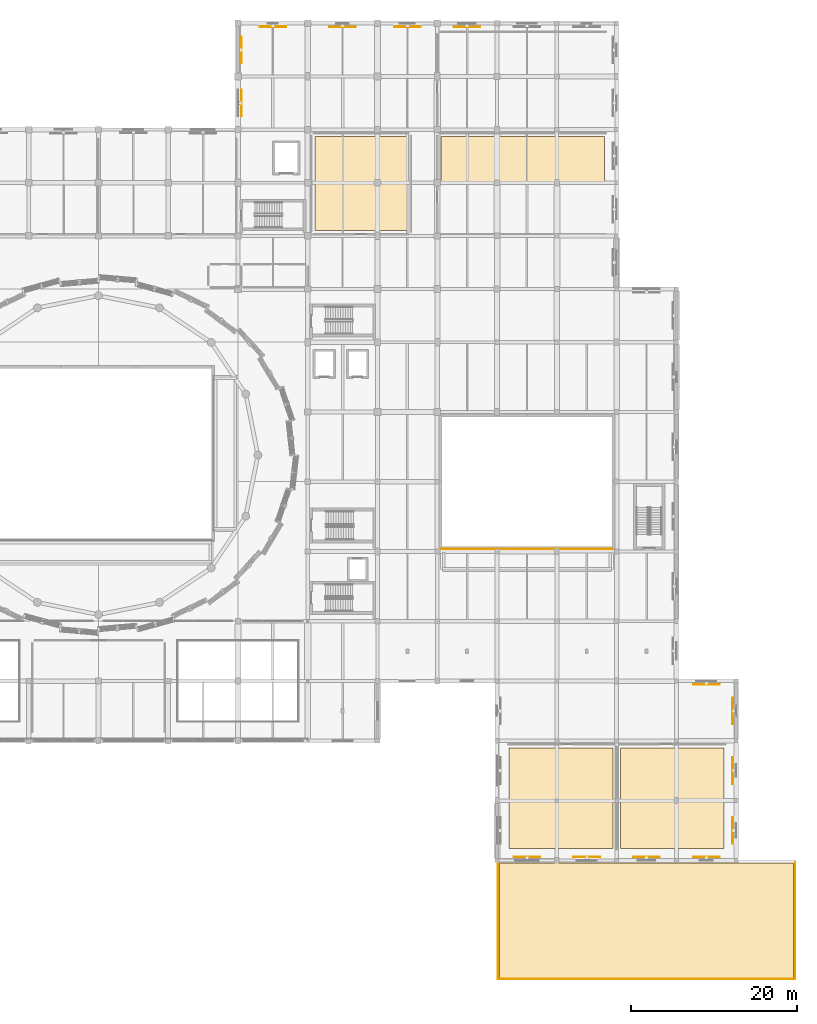
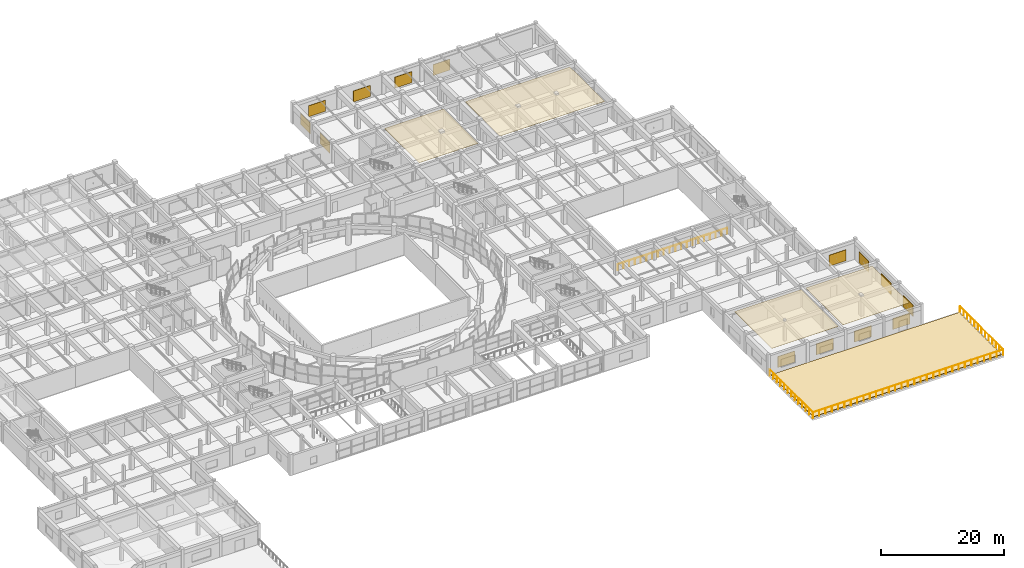
# One storey, part 69 of 71: 14 shading devices, 5 coverings, 2 railings.
"""IFC4 building model written with IfcOpenShell, lengths in metres."""

from ifc_helpers import new_model, si_unit, direction, frame, origin, origin_2d, place, context, subcontext, project, spatial, polyline, rectangle, circle, outline, extrude, material, layer, layer_set, type_object, element, save


model = new_model("IFC4")

# Units and contexts
model_context = context("Model", 3, precision=1e-05, world=origin(), true_north=direction((0.0, 1.0)))
body_context = subcontext(model_context, "Body", "Model", "MODEL_VIEW")
ifc_project = project(units=[si_unit("LENGTHUNIT", "METRE"), si_unit("AREAUNIT", "SQUARE_METRE"), si_unit("VOLUMEUNIT", "CUBIC_METRE"), si_unit("PLANEANGLEUNIT", "RADIAN"), si_unit("MASSUNIT", "GRAM", prefix="KILO")], contexts=[model_context])

# Site, building, storey
site_placement = place(None, origin())
site = spatial("IfcSite", under=ifc_project, at=site_placement, CompositionType="ELEMENT")
building_placement = place(site_placement, origin())
building = spatial("IfcBuilding", under=site, at=building_placement, Name="Korsvaeld Concert Hall", CompositionType="ELEMENT")
storey_placement = place(building_placement, frame((0.0, 0.0, 4.800048828125)))
storey = spatial("IfcBuildingStorey", under=building, at=storey_placement, Name="L01", CompositionType="ELEMENT", Elevation=4.800048828125)

# Coverings
ifc_material_1 = material(Name="Suspended sculpted European oak acoustic ceiling")
ifc_layer_1 = layer(ifc_material_1, 0.044921875)
ifc_layer_set_1 = layer_set([ifc_layer_1], Name="Suspended sculpted European oak acoustic ceiling")
covering_type_1 = type_object("IfcCoveringType", Name="COV-CEIL-OAK", PredefinedType="CEILING", material=ifc_layer_set_1)
covering_1_placement = place(storey_placement, frame((0.0, 0.0, 3.8349609375)))
element("IfcCovering", 1, at=covering_1_placement, inside=storey, type_object=covering_type_1, Name="Acoustic oak reflector ceiling L01-08", PredefinedType="CEILING", context=body_context, shape_type="SweptSolid", body=[
    extrude(outline(polyline([(133.449951171875, 15.85009765625), (133.449951171875, 27.949951171875), (145.949951171875, 27.949951171875), (145.949951171875, 15.85009765625), (133.449951171875, 15.85009765625)])), origin(), (0.0, 0.0, 1.0), 0.044921875),
])
covering_2_placement = place(storey_placement, frame((0.0, 0.0, 3.8349609375)))
element("IfcCovering", 2, at=covering_2_placement, inside=storey, type_object=covering_type_1, Name="Acoustic oak reflector ceiling L01-09", PredefinedType="CEILING", context=body_context, shape_type="SweptSolid", body=[
    extrude(outline(polyline([(159.35009765625, 27.949951171875), (159.35009765625, 15.85009765625), (146.85009765625, 15.85009765625), (146.85009765625, 27.949951171875), (159.35009765625, 27.949951171875)])), origin(), (0.0, 0.0, 1.0), 0.044921875),
])
covering_3_placement = place(storey_placement, frame((0.0, 0.0, 3.8349609375)))
element("IfcCovering", 3, at=covering_3_placement, inside=storey, type_object=covering_type_1, Name="Acoustic oak reflector ceiling L01-22", PredefinedType="CEILING", context=body_context, shape_type="SweptSolid", body=[
    extrude(outline(polyline([(121.14990234375, 90.25), (110.050048828125, 90.25), (110.050048828125, 101.550048828125), (121.14990234375, 101.550048828125), (121.14990234375, 90.25)])), origin(), (0.0, 0.0, 1.0), 0.044921875),
])
covering_4_placement = place(storey_placement, frame((0.0, 0.0, 3.8349609375)))
element("IfcCovering", 4, at=covering_4_placement, inside=storey, type_object=covering_type_1, Name="Acoustic oak reflector ceiling L01-23", PredefinedType="CEILING", context=body_context, shape_type="SweptSolid", body=[
    extrude(outline(polyline([(144.949951171875, 101.550048828125), (144.949951171875, 90.25), (125.25, 90.25), (125.25, 101.550048828125), (144.949951171875, 101.550048828125)])), origin(), (0.0, 0.0, 1.0), 0.044921875),
])
ifc_material_2 = material(Name="Mughal-garden sedum planted green roof substrate")
ifc_layer_2 = layer(ifc_material_2, 0.1201171875)
ifc_layer_set_2 = layer_set([ifc_layer_2], Name="Mughal-garden sedum planted green roof substrate")
covering_type_2 = type_object("IfcCoveringType", Name="COV-ROOF-GREEN", PredefinedType="ROOFING", material=ifc_layer_set_2)
covering_5_placement = place(storey_placement, origin())
element("IfcCovering", 5, at=covering_5_placement, inside=storey, type_object=covering_type_2, Name="Mughal-garden green roof planting TER_L01_SE", PredefinedType="ROOFING", context=body_context, shape_type="SweptSolid", body=[
    extrude(outline(polyline([(167.699951171875, 0.300048828125), (167.699951171875, 14.10009765625), (132.300048828125, 14.10009765625), (132.300048828125, 0.300048828125), (167.699951171875, 0.300048828125)])), origin(), (0.0, 0.0, 1.0), 0.119873046875),
])

# Railings
ifc_material_3 = material(Name="Anodised architectural bronze guardrail")
railing_type_1 = type_object("IfcRailingType", Name="RL-TERR-GUARD-120", PredefinedType="GUARDRAIL", material=ifc_material_3)
railing_1_placement = place(storey_placement, frame((132.10009765625, 14.139892578125, 0.0)))
element("IfcRailing", 6, at=railing_1_placement, inside=storey, type_object=railing_type_1, Name="Planted terrace bronze guardrail TER_L01_SE", PredefinedType="GUARDRAIL", context=body_context, shape_type="SweptSolid", body=[
    extrude(circle(Radius=0.02392578125, at=origin_2d()), frame((0.0, 0.0, 1.17578125), z_axis=(0.0, -1.0, 0.0), x_axis=(1.0, 0.0, 0.0)), (0.0, 0.0, 1.0), 14.039794921875),
    extrude(circle(Radius=0.02392578125, at=origin_2d()), frame((0.0, -14.039794921875, 1.17578125), z_axis=(1.0, 0.0, 0.0), x_axis=(0.0, 1.0, 0.0)), (0.0, 0.0, 1.0), 35.7998046875),
    extrude(circle(Radius=0.02392578125, at=origin_2d()), frame((35.7998046875, -14.039794921875, 1.17578125), z_axis=(0.0, 1.0, 0.0), x_axis=(-1.0, 0.0, 0.0)), (0.0, 0.0, 1.0), 14.039794921875),
    extrude(circle(Radius=0.02099609375, at=origin_2d()), origin(), (0.0, 0.0, 1.0), 1.15185546875),
    extrude(circle(Radius=0.02099609375, at=origin_2d()), frame((0.0, -1.169921875, 0.0)), (0.0, 0.0, 1.0), 1.15185546875),
    extrude(circle(Radius=0.02099609375, at=origin_2d()), frame((0.0, -2.33984375, 0.0)), (0.0, 0.0, 1.0), 1.15185546875),
    extrude(circle(Radius=0.02099609375, at=origin_2d()), frame((0.0, -3.510009765625, 0.0)), (0.0, 0.0, 1.0), 1.15185546875),
    extrude(circle(Radius=0.02099609375, at=origin_2d()), frame((0.0, -4.679931640625, 0.0)), (0.0, 0.0, 1.0), 1.15185546875),
    extrude(circle(Radius=0.02099609375, at=origin_2d()), frame((0.0, -5.849853515625, 0.0)), (0.0, 0.0, 1.0), 1.15185546875),
    extrude(circle(Radius=0.02099609375, at=origin_2d()), frame((0.0, -7.02001953125, 0.0)), (0.0, 0.0, 1.0), 1.15185546875),
    extrude(circle(Radius=0.02099609375, at=origin_2d()), frame((0.0, -8.18994140625, 0.0)), (0.0, 0.0, 1.0), 1.15185546875),
    extrude(circle(Radius=0.02099609375, at=origin_2d()), frame((0.0, -9.35986328125, 0.0)), (0.0, 0.0, 1.0), 1.15185546875),
    extrude(circle(Radius=0.02099609375, at=origin_2d()), frame((0.0, -10.52978515625, 0.0)), (0.0, 0.0, 1.0), 1.15185546875),
    extrude(circle(Radius=0.02099609375, at=origin_2d()), frame((0.0, -11.69970703125, 0.0)), (0.0, 0.0, 1.0), 1.15185546875),
    extrude(circle(Radius=0.02099609375, at=origin_2d()), frame((0.0, -12.869873046875, 0.0)), (0.0, 0.0, 1.0), 1.15185546875),
    extrude(circle(Radius=0.02099609375, at=origin_2d()), frame((0.0, -14.039794921875, 0.0)), (0.0, 0.0, 1.0), 1.15185546875),
    extrude(circle(Radius=0.02099609375, at=origin_2d()), frame((1.193359375, -14.039794921875, 0.0)), (0.0, 0.0, 1.0), 1.15185546875),
    extrude(circle(Radius=0.02099609375, at=origin_2d()), frame((2.38671875, -14.039794921875, 0.0)), (0.0, 0.0, 1.0), 1.15185546875),
    extrude(circle(Radius=0.02099609375, at=origin_2d()), frame((3.580078125, -14.039794921875, 0.0)), (0.0, 0.0, 1.0), 1.15185546875),
    extrude(circle(Radius=0.02099609375, at=origin_2d()), frame((4.773193359375, -14.039794921875, 0.0)), (0.0, 0.0, 1.0), 1.15185546875),
    extrude(circle(Radius=0.02099609375, at=origin_2d()), frame((5.966552734375, -14.039794921875, 0.0)), (0.0, 0.0, 1.0), 1.15185546875),
    extrude(circle(Radius=0.02099609375, at=origin_2d()), frame((7.159912109375, -14.039794921875, 0.0)), (0.0, 0.0, 1.0), 1.15185546875),
    extrude(circle(Radius=0.02099609375, at=origin_2d()), frame((8.353271484375, -14.039794921875, 0.0)), (0.0, 0.0, 1.0), 1.15185546875),
    extrude(circle(Radius=0.02099609375, at=origin_2d()), frame((9.546630859375, -14.039794921875, 0.0)), (0.0, 0.0, 1.0), 1.15185546875),
    extrude(circle(Radius=0.02099609375, at=origin_2d()), frame((10.739990234375, -14.039794921875, 0.0)), (0.0, 0.0, 1.0), 1.15185546875),
    extrude(circle(Radius=0.02099609375, at=origin_2d()), frame((11.933349609375, -14.039794921875, 0.0)), (0.0, 0.0, 1.0), 1.15185546875),
    extrude(circle(Radius=0.02099609375, at=origin_2d()), frame((13.126708984375, -14.039794921875, 0.0)), (0.0, 0.0, 1.0), 1.15185546875),
    extrude(circle(Radius=0.02099609375, at=origin_2d()), frame((14.31982421875, -14.039794921875, 0.0)), (0.0, 0.0, 1.0), 1.15185546875),
    extrude(circle(Radius=0.02099609375, at=origin_2d()), frame((15.51318359375, -14.039794921875, 0.0)), (0.0, 0.0, 1.0), 1.15185546875),
    extrude(circle(Radius=0.02099609375, at=origin_2d()), frame((16.70654296875, -14.039794921875, 0.0)), (0.0, 0.0, 1.0), 1.15185546875),
    extrude(circle(Radius=0.02099609375, at=origin_2d()), frame((17.89990234375, -14.039794921875, 0.0)), (0.0, 0.0, 1.0), 1.15185546875),
    extrude(circle(Radius=0.02099609375, at=origin_2d()), frame((19.09326171875, -14.039794921875, 0.0)), (0.0, 0.0, 1.0), 1.15185546875),
    extrude(circle(Radius=0.02099609375, at=origin_2d()), frame((20.28662109375, -14.039794921875, 0.0)), (0.0, 0.0, 1.0), 1.15185546875),
    extrude(circle(Radius=0.02099609375, at=origin_2d()), frame((21.47998046875, -14.039794921875, 0.0)), (0.0, 0.0, 1.0), 1.15185546875),
    extrude(circle(Radius=0.02099609375, at=origin_2d()), frame((22.673095703125, -14.039794921875, 0.0)), (0.0, 0.0, 1.0), 1.15185546875),
    extrude(circle(Radius=0.02099609375, at=origin_2d()), frame((23.866455078125, -14.039794921875, 0.0)), (0.0, 0.0, 1.0), 1.15185546875),
    extrude(circle(Radius=0.02099609375, at=origin_2d()), frame((25.059814453125, -14.039794921875, 0.0)), (0.0, 0.0, 1.0), 1.15185546875),
    extrude(circle(Radius=0.02099609375, at=origin_2d()), frame((26.253173828125, -14.039794921875, 0.0)), (0.0, 0.0, 1.0), 1.15185546875),
    extrude(circle(Radius=0.02099609375, at=origin_2d()), frame((27.446533203125, -14.039794921875, 0.0)), (0.0, 0.0, 1.0), 1.15185546875),
    extrude(circle(Radius=0.02099609375, at=origin_2d()), frame((28.639892578125, -14.039794921875, 0.0)), (0.0, 0.0, 1.0), 1.15185546875),
    extrude(circle(Radius=0.02099609375, at=origin_2d()), frame((29.833251953125, -14.039794921875, 0.0)), (0.0, 0.0, 1.0), 1.15185546875),
    extrude(circle(Radius=0.02099609375, at=origin_2d()), frame((31.026611328125, -14.039794921875, 0.0)), (0.0, 0.0, 1.0), 1.15185546875),
    extrude(circle(Radius=0.02099609375, at=origin_2d()), frame((32.2197265625, -14.039794921875, 0.0)), (0.0, 0.0, 1.0), 1.15185546875),
    extrude(circle(Radius=0.02099609375, at=origin_2d()), frame((33.4130859375, -14.039794921875, 0.0)), (0.0, 0.0, 1.0), 1.15185546875),
    extrude(circle(Radius=0.02099609375, at=origin_2d()), frame((34.6064453125, -14.039794921875, 0.0)), (0.0, 0.0, 1.0), 1.15185546875),
    extrude(circle(Radius=0.02099609375, at=origin_2d()), frame((35.7998046875, -14.039794921875, 0.0)), (0.0, 0.0, 1.0), 1.15185546875),
    extrude(circle(Radius=0.02099609375, at=origin_2d()), frame((35.7998046875, -12.869873046875, 0.0)), (0.0, 0.0, 1.0), 1.15185546875),
    extrude(circle(Radius=0.02099609375, at=origin_2d()), frame((35.7998046875, -11.69970703125, 0.0)), (0.0, 0.0, 1.0), 1.15185546875),
    extrude(circle(Radius=0.02099609375, at=origin_2d()), frame((35.7998046875, -10.52978515625, 0.0)), (0.0, 0.0, 1.0), 1.15185546875),
    extrude(circle(Radius=0.02099609375, at=origin_2d()), frame((35.7998046875, -9.35986328125, 0.0)), (0.0, 0.0, 1.0), 1.15185546875),
    extrude(circle(Radius=0.02099609375, at=origin_2d()), frame((35.7998046875, -8.18994140625, 0.0)), (0.0, 0.0, 1.0), 1.15185546875),
    extrude(circle(Radius=0.02099609375, at=origin_2d()), frame((35.7998046875, -7.02001953125, 0.0)), (0.0, 0.0, 1.0), 1.15185546875),
    extrude(circle(Radius=0.02099609375, at=origin_2d()), frame((35.7998046875, -5.849853515625, 0.0)), (0.0, 0.0, 1.0), 1.15185546875),
    extrude(circle(Radius=0.02099609375, at=origin_2d()), frame((35.7998046875, -4.679931640625, 0.0)), (0.0, 0.0, 1.0), 1.15185546875),
    extrude(circle(Radius=0.02099609375, at=origin_2d()), frame((35.7998046875, -3.510009765625, 0.0)), (0.0, 0.0, 1.0), 1.15185546875),
    extrude(circle(Radius=0.02099609375, at=origin_2d()), frame((35.7998046875, -2.33984375, 0.0)), (0.0, 0.0, 1.0), 1.15185546875),
    extrude(circle(Radius=0.02099609375, at=origin_2d()), frame((35.7998046875, -1.169921875, 0.0)), (0.0, 0.0, 1.0), 1.15185546875),
    extrude(circle(Radius=0.02099609375, at=origin_2d()), frame((35.7998046875, 0.0, 0.0)), (0.0, 0.0, 1.0), 1.15185546875),
])
ifc_material_4 = material(Name="Acoustic laminated glass and oak auditorium balustrade", Category="glass")
railing_type_2 = type_object("IfcRailingType", Name="RL-VOID-BAL-120", PredefinedType="BALUSTRADE", material=ifc_material_4)
railing_2_placement = place(storey_placement, frame((125.280029296875, 51.919921875, 0.449951171875)))
element("IfcRailing", 7, at=railing_2_placement, inside=storey, type_object=railing_type_2, Name="Auditorium acoustic balustrade V2-BALC-S", PredefinedType="BALUSTRADE", context=body_context, shape_type="SweptSolid", body=[
    extrude(circle(Radius=0.02392578125, at=origin_2d()), frame((0.0, 0.0, 1.17578125), z_axis=(1.0, 0.0, 0.0), x_axis=(0.0, 1.0, 0.0)), (0.0, 0.0, 1.0), 20.639892578125),
    extrude(circle(Radius=0.02099609375, at=origin_2d()), origin(), (0.0, 0.0, 1.0), 1.15185546875),
    extrude(circle(Radius=0.02099609375, at=origin_2d()), frame((1.08642578125, 0.0, 0.0)), (0.0, 0.0, 1.0), 1.15185546875),
    extrude(circle(Radius=0.02099609375, at=origin_2d()), frame((2.172607421875, 0.0, 0.0)), (0.0, 0.0, 1.0), 1.15185546875),
    extrude(circle(Radius=0.02099609375, at=origin_2d()), frame((3.259033203125, 0.0, 0.0)), (0.0, 0.0, 1.0), 1.15185546875),
    extrude(circle(Radius=0.02099609375, at=origin_2d()), frame((4.34521484375, 0.0, 0.0)), (0.0, 0.0, 1.0), 1.15185546875),
    extrude(circle(Radius=0.02099609375, at=origin_2d()), frame((5.431640625, 0.0, 0.0)), (0.0, 0.0, 1.0), 1.15185546875),
    extrude(circle(Radius=0.02099609375, at=origin_2d()), frame((6.517822265625, 0.0, 0.0)), (0.0, 0.0, 1.0), 1.15185546875),
    extrude(circle(Radius=0.02099609375, at=origin_2d()), frame((7.604248046875, 0.0, 0.0)), (0.0, 0.0, 1.0), 1.15185546875),
    extrude(circle(Radius=0.02099609375, at=origin_2d()), frame((8.6904296875, 0.0, 0.0)), (0.0, 0.0, 1.0), 1.15185546875),
    extrude(circle(Radius=0.02099609375, at=origin_2d()), frame((9.77685546875, 0.0, 0.0)), (0.0, 0.0, 1.0), 1.15185546875),
    extrude(circle(Radius=0.02099609375, at=origin_2d()), frame((10.863037109375, 0.0, 0.0)), (0.0, 0.0, 1.0), 1.15185546875),
    extrude(circle(Radius=0.02099609375, at=origin_2d()), frame((11.949462890625, 0.0, 0.0)), (0.0, 0.0, 1.0), 1.15185546875),
    extrude(circle(Radius=0.02099609375, at=origin_2d()), frame((13.03564453125, 0.0, 0.0)), (0.0, 0.0, 1.0), 1.15185546875),
    extrude(circle(Radius=0.02099609375, at=origin_2d()), frame((14.1220703125, 0.0, 0.0)), (0.0, 0.0, 1.0), 1.15185546875),
    extrude(circle(Radius=0.02099609375, at=origin_2d()), frame((15.208251953125, 0.0, 0.0)), (0.0, 0.0, 1.0), 1.15185546875),
    extrude(circle(Radius=0.02099609375, at=origin_2d()), frame((16.294677734375, 0.0, 0.0)), (0.0, 0.0, 1.0), 1.15185546875),
    extrude(circle(Radius=0.02099609375, at=origin_2d()), frame((17.380859375, 0.0, 0.0)), (0.0, 0.0, 1.0), 1.15185546875),
    extrude(circle(Radius=0.02099609375, at=origin_2d()), frame((18.46728515625, 0.0, 0.0)), (0.0, 0.0, 1.0), 1.15185546875),
    extrude(circle(Radius=0.02099609375, at=origin_2d()), frame((19.553466796875, 0.0, 0.0)), (0.0, 0.0, 1.0), 1.15185546875),
    extrude(circle(Radius=0.02099609375, at=origin_2d()), frame((20.639892578125, 0.0, 0.0)), (0.0, 0.0, 1.0), 1.15185546875),
])

# Shading devices
ifc_material_5 = material(Name="Anodised architectural bronze pierced jali screen")
ifc_layer_3 = layer(ifc_material_5, 0.080078125)
ifc_layer_set_3 = layer_set([ifc_layer_3], Name="Anodised architectural bronze pierced jali screen")
shading_device_type = type_object("IfcShadingDeviceType", Name="SHD-JALI-BRONZE", PredefinedType="JALOUSIE", material=ifc_layer_set_3)
for number, where, z_axis, x_axis, name in (
    (8, (101.215087890625, 105.60009765625, 0.5), (0.0, 0.0, 1.0), (0.0, 1.0, 0.0), "Bronze pierced jali brise-soleil screen L01-25"),
    (9, (101.22998046875, 112.0, 0.5), (0.0, 0.0, 1.0), (0.0, 1.0, 0.0), "Bronze pierced jali brise-soleil screen L01-26"),
    (10, (105.0, 114.784912109375, 0.5), (0.0, 0.0, 1.0), (1.0, 0.0, 0.0), "Bronze pierced jali brise-soleil screen L01-27"),
    (11, (113.39990234375, 114.77001953125, 0.5), (0.0, 0.0, 1.0), (1.0, 0.0, 0.0), "Bronze pierced jali brise-soleil screen L01-28"),
    (12, (121.199951171875, 114.784912109375, 0.5), (0.0, 0.0, 1.0), (1.0, 0.0, 0.0), "Bronze pierced jali brise-soleil screen L01-29"),
    (13, (128.39990234375, 114.77001953125, 0.5), (0.0, 0.0, 1.0), (1.0, 0.0, 0.0), "Bronze pierced jali brise-soleil screen L01-30"),
    (14, (157.199951171875, 35.5849609375, 0.5), (0.0, 0.0, 1.0), (1.0, 0.0, 0.0), "Bronze pierced jali brise-soleil screen L01-45"),
    (15, (160.3701171875, 32.39990234375, 0.5), (0.0, 0.0, 1.0), (0.0, -1.0, 0.0), "Bronze pierced jali brise-soleil screen L01-46"),
    (16, (160.385009765625, 25.199951171875, 0.5), (0.0, 0.0, 1.0), (0.0, -1.0, 0.0), "Bronze pierced jali brise-soleil screen L01-47"),
    (17, (160.3701171875, 18.0, 0.5), (0.0, 0.0, 1.0), (0.0, -1.0, 0.0), "Bronze pierced jali brise-soleil screen L01-48"),
    (18, (157.199951171875, 14.81494140625, 0.5), (0.0, 0.0, 1.0), (-1.0, 0.0, 0.0), "Bronze pierced jali brise-soleil screen L01-49"),
    (19, (150.0, 14.830078125, 0.5), (0.0, 0.0, 1.0), (-1.0, 0.0, 0.0), "Bronze pierced jali brise-soleil screen L01-50"),
    (20, (142.800048828125, 14.81494140625, 0.5), (0.0, 0.0, 1.0), (-1.0, 0.0, 0.0), "Bronze pierced jali brise-soleil screen L01-51"),
    (21, (135.60009765625, 14.830078125, 0.5), (0.0, 0.0, 1.0), (-1.0, 0.0, 0.0), "Bronze pierced jali brise-soleil screen L01-52"),
):
    element("IfcShadingDevice", number, at=place(storey_placement, frame(where, z_axis=z_axis, x_axis=x_axis)), inside=storey, type_object=shading_device_type, Name=name, PredefinedType="JALOUSIE", context=body_context, shape_type="SweptSolid", body=[
        extrude(rectangle(XDim=3.199951171875, YDim=0.080078125, at=origin_2d()), origin(), (0.0, 0.0, 1.0), 2.199951171875),
    ])

save(model, "model.ifc")
